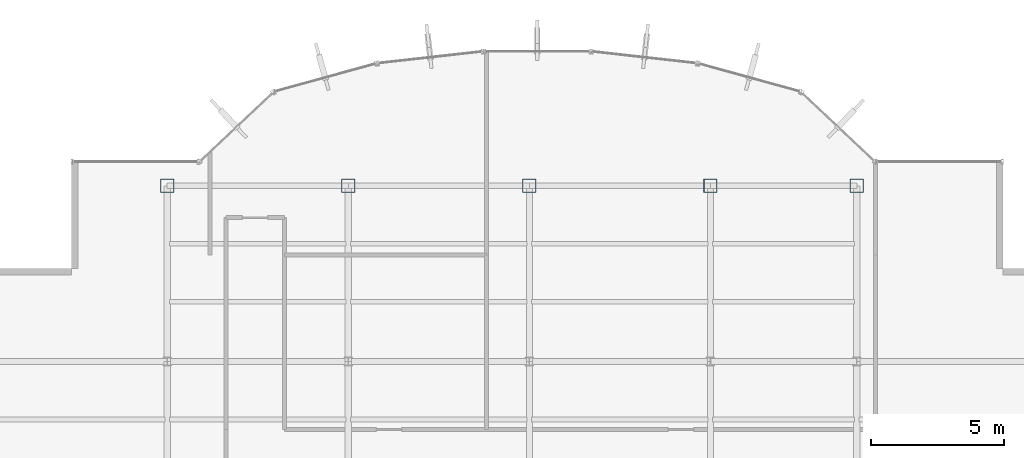
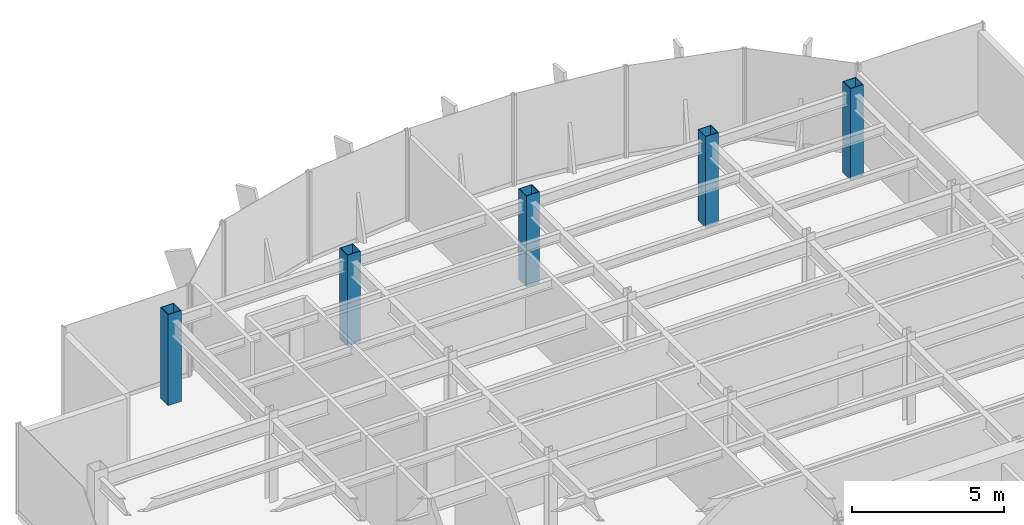
# One storey, part 2 of 22: 5 columns.
"""IFC4 building model written with IfcOpenShell, lengths in metres."""

import ifcopenshell
import ifcopenshell.guid

model = None  # the IFC model being written
_history = None  # IfcOwnerHistory: only IFC2X3 demands one
_inside = {}  # id of a spatial element -> (the spatial element, [elements in it])
_under = {}  # id of a project, library or spatial element -> (it, [spatial elements below it])
_declared = {}  # id of a project -> (the project, [libraries it declares])
_typed = {}  # id of a type object -> (the type object, [elements of that type])
_made_of = {}  # id of a material, layer set ... -> (it, [elements and type objects made of it])


def new_model(schema):
    """Start an empty IFC model of exactly this schema.

    Asked for "IFC4X3", IfcOpenShell would pick the latest addendum, in which some entities
    have other attributes; the version numbers below select the first issue.
    IFC2X3 requires an IfcOwnerHistory on every rooted entity: one is made here for all.
    """
    global model, _history
    if schema == "IFC4X3":
        model = ifcopenshell.file(schema_version=(4, 3, 0, 0))
    else:
        model = ifcopenshell.file(schema=schema)
    _inside.clear()
    _under.clear()
    _declared.clear()
    _typed.clear()
    _made_of.clear()
    _history = None
    if model.schema == "IFC2X3":
        org = make("IfcOrganization", Name="unknown")
        user = make(
            "IfcPersonAndOrganization",
            ThePerson=make("IfcPerson", FamilyName="unknown"),
            TheOrganization=org,
        )
        app = make(
            "IfcApplication",
            ApplicationDeveloper=org,
            Version="unknown",
            ApplicationFullName="unknown",
            ApplicationIdentifier="unknown",
        )
        _history = make(
            "IfcOwnerHistory",
            OwningUser=user,
            OwningApplication=app,
            ChangeAction="ADDED",
            CreationDate=0,
        )
    return model


def make(cls, **values):
    """One entity of the class cls with the attributes given. An attribute that is None is left unset."""
    return model.create_entity(
        cls, **{name: value for name, value in values.items() if value is not None}
    )


def rooted(cls, **values):
    """An entity with a GlobalId (a new one), such as an element, a storey or a relation."""
    return make(cls, GlobalId=ifcopenshell.guid.new(), OwnerHistory=_history, **values)


def si_unit(unit_type, name, prefix=None):
    """IfcSIUnit, for example si_unit("LENGTHUNIT", "METRE", prefix="MILLI")."""
    return make("IfcSIUnit", UnitType=unit_type, Prefix=prefix, Name=name)


def derived_unit(unit_type, elements):
    """IfcDerivedUnit: a product of units, each with its exponent."""
    return make(
        "IfcDerivedUnit",
        Elements=[
            make("IfcDerivedUnitElement", Unit=unit, Exponent=power)
            for unit, power in elements
        ],
        UnitType=unit_type,
    )


def assignment(units):
    """IfcUnitAssignment: the units of a project."""
    return None if units is None else make("IfcUnitAssignment", Units=units)


def point(xyz):
    """IfcCartesianPoint."""
    return None if xyz is None else make("IfcCartesianPoint", Coordinates=xyz)


def direction(xyz):
    """IfcDirection."""
    return None if xyz is None else make("IfcDirection", DirectionRatios=xyz)


def frame(location, z_axis=None, x_axis=None):
    """IfcAxis2Placement3D, a coordinate frame: its origin and axes. An axis left out is left unset."""
    return make(
        "IfcAxis2Placement3D",
        Location=point(location),
        Axis=direction(z_axis),
        RefDirection=direction(x_axis),
    )


def frame_2d(location, x_axis=None):
    """IfcAxis2Placement2D, a coordinate frame in the plane: its origin and x axis."""
    return make(
        "IfcAxis2Placement2D", Location=point(location), RefDirection=direction(x_axis)
    )


def origin():
    """The frame at (0, 0, 0) with its axes left unset."""
    return frame((0.0, 0.0, 0.0))


def origin_2d():
    """The frame at (0, 0) in the plane with its x axis left unset."""
    return frame_2d((0.0, 0.0))


def place(relative_to, where):
    """IfcLocalPlacement: puts the frame where relative to a parent placement (None: the world)."""
    return make(
        "IfcLocalPlacement", PlacementRelTo=relative_to, RelativePlacement=where
    )


def context(
    kind, dimensions, precision=None, world=None, true_north=None, identifier=None
):
    """IfcGeometricRepresentationContext, for example the 3D "Model" context."""
    return make(
        "IfcGeometricRepresentationContext",
        ContextIdentifier=identifier,
        ContextType=kind,
        CoordinateSpaceDimension=dimensions,
        Precision=precision,
        WorldCoordinateSystem=world,
        TrueNorth=true_north,
    )


def subcontext(parent, identifier, kind, view, scale=None):
    """IfcGeometricRepresentationSubContext, for example "Body" below "Model"."""
    return make(
        "IfcGeometricRepresentationSubContext",
        ContextIdentifier=identifier,
        ContextType=kind,
        ParentContext=parent,
        TargetScale=scale,
        TargetView=view,
    )


def project(units=None, contexts=None):
    """IfcProject with its units and contexts."""
    return rooted(
        "IfcProject",
        Name="project",
        RepresentationContexts=contexts,
        UnitsInContext=assignment(units),
    )


def spatial(cls, under=None, at=None, **own):
    """A site, building, storey or space (cls), placed at a placement, below another one or the project."""
    s = rooted(cls, ObjectPlacement=at, **own)
    if under is not None:
        _under.setdefault(under.id(), (under, []))[1].append(s)
    return s


def profile(cls, at=None, kind="AREA", **sizes):
    """A parametric profile (cls). Its sizes go by their IFC names, for example OverallWidth=200.0."""
    return make(cls, ProfileType=kind, Position=at, **sizes)


def hollow_rectangle(**sizes):
    """IfcRectangleHollowProfileDef."""
    return profile("IfcRectangleHollowProfileDef", **sizes)


def extrude(swept, where, along, depth):
    """IfcExtrudedAreaSolid: the profile swept, set in the frame where, extruded along a direction by depth."""
    return make(
        "IfcExtrudedAreaSolid",
        SweptArea=swept,
        Position=where,
        ExtrudedDirection=direction(along),
        Depth=depth,
    )


def shape(context_of_items, identifier, shape_type, items):
    """IfcShapeRepresentation: the items that make up one representation, for example the "Body"."""
    return make(
        "IfcShapeRepresentation",
        ContextOfItems=context_of_items,
        RepresentationIdentifier=identifier,
        RepresentationType=shape_type,
        Items=items,
    )


def source(mapping_origin, context_of_items, identifier, shape_type, items):
    """IfcRepresentationMap: a shape defined once, which mapped items show again and again."""
    return make(
        "IfcRepresentationMap",
        MappingOrigin=mapping_origin,
        MappedRepresentation=shape(context_of_items, identifier, shape_type, items),
    )


def transform(
    local_origin,
    x_axis=None,
    y_axis=None,
    z_axis=None,
    scale=None,
    scale2=None,
    scale3=None,
    uniform=True,
):
    """IfcCartesianTransformationOperator3D, or its non-uniform kind. x_axis, y_axis, z_axis: its Axis1, 2, 3."""
    if uniform:
        return make(
            "IfcCartesianTransformationOperator3D",
            Axis1=direction(x_axis),
            Axis2=direction(y_axis),
            LocalOrigin=point(local_origin),
            Scale=scale,
            Axis3=direction(z_axis),
        )
    return make(
        "IfcCartesianTransformationOperator3DnonUniform",
        Axis1=direction(x_axis),
        Axis2=direction(y_axis),
        LocalOrigin=point(local_origin),
        Scale=scale,
        Axis3=direction(z_axis),
        Scale2=scale2,
        Scale3=scale3,
    )


def mapped(mapping_source, mapping_target):
    """IfcMappedItem: shows the shape of a source again, moved by a transform."""
    return make(
        "IfcMappedItem", MappingSource=mapping_source, MappingTarget=mapping_target
    )


def material(Name=None, Category=None):
    """IfcMaterial."""
    return make("IfcMaterial", Name=Name, Category=Category)


def material_profile(
    of_material, cross_section, Name=None, Category=None, Priority=None
):
    """IfcMaterialProfile: a cross section and its material."""
    return make(
        "IfcMaterialProfile",
        Name=Name,
        Material=of_material,
        Profile=cross_section,
        Priority=Priority,
        Category=Category,
    )


def profile_set(profiles, Name=None, composite=None):
    """IfcMaterialProfileSet."""
    return make(
        "IfcMaterialProfileSet",
        Name=Name,
        MaterialProfiles=profiles,
        CompositeProfile=composite,
    )


def made_of(thing, what):
    """Note that an element or type object is made of a material, layer set ...; save() writes the relation."""
    if what is not None:
        _made_of.setdefault(what.id(), (what, []))[1].append(thing)
    return thing


def type_object(cls, material=None, **own):
    """A type object (cls), such as IfcWallType, which elements share."""
    return made_of(rooted(cls, **own), material)


def element(
    cls,
    number,
    at=None,
    inside=None,
    cuts=None,
    type_object=None,
    material=None,
    context=None,
    identifier="Body",
    shape_type=None,
    held_by="IfcProductDefinitionShape",
    body=None,
    shapes=None,
    **own,
):
    """One element of the class cls, such as IfcWall. Its Tag is "e" and its number.

    at: its placement. inside: the storey or other place that contains it. cuts: it is an
    opening in that element (IfcRelVoidsElement). A single representation is given by context,
    identifier, shape_type and body (its items); several are given by shapes. held_by: the class
    of the entity that holds the representations. save() writes the other relations.
    """
    e = rooted(cls, Tag="e%d" % number, ObjectPlacement=at, **own)
    if body is not None:
        shapes = [shape(context, identifier, shape_type, body)]
    if shapes is not None:
        e.Representation = make(held_by, Representations=shapes)
    if inside is not None:
        _inside.setdefault(inside.id(), (inside, []))[1].append(e)
    if cuts is not None:
        rooted(
            "IfcRelVoidsElement", RelatingBuildingElement=cuts, RelatedOpeningElement=e
        )
    if type_object is not None:
        _typed.setdefault(type_object.id(), (type_object, []))[1].append(e)
    return made_of(e, material)


def aggregate(whole, parts):
    """IfcRelAggregates: a whole, such as a stair, and the parts it consists of."""
    return rooted("IfcRelAggregates", RelatingObject=whole, RelatedObjects=parts)


def save(model, path):
    """Write the relations noted so far, then the file.

    IfcRelAggregates (storeys below a building ...), IfcRelContainedInSpatialStructure (elements
    in a storey), IfcRelDefinesByType, IfcRelAssociatesMaterial and IfcRelDeclares: one each for
    every whole, place, type object, material and project.
    """
    for whole, parts in _under.values():
        aggregate(whole, parts)
    for where, things in _inside.values():
        rooted(
            "IfcRelContainedInSpatialStructure",
            RelatedElements=things,
            RelatingStructure=where,
        )
    for kind, things in _typed.values():
        rooted("IfcRelDefinesByType", RelatedObjects=things, RelatingType=kind)
    for what, things in _made_of.values():
        rooted("IfcRelAssociatesMaterial", RelatedObjects=things, RelatingMaterial=what)
    for by, libraries in _declared.values():
        rooted("IfcRelDeclares", RelatingContext=by, RelatedDefinitions=libraries)
    model.write(path)


model = new_model("IFC4")

# Units and contexts
model_context = context("Model", 3, precision=1e-05, world=origin(), true_north=direction((0.0, 1.0)))
body_context = subcontext(model_context, "Body", "Model", "MODEL_VIEW")
ifc_project = project(units=[si_unit("LENGTHUNIT", "METRE"), si_unit("AREAUNIT", "SQUARE_METRE"), si_unit("VOLUMEUNIT", "CUBIC_METRE"), si_unit("PLANEANGLEUNIT", "RADIAN"), si_unit("MASSUNIT", "GRAM", prefix="KILO"), derived_unit("THERMALTRANSMITTANCEUNIT", [(si_unit("POWERUNIT", "WATT"), 1), (si_unit("LENGTHUNIT", "METRE"), -2), (si_unit("THERMODYNAMICTEMPERATUREUNIT", "KELVIN"), -1)])], contexts=[model_context])

# Site, building, storey
site_placement = place(None, origin())
site = spatial("IfcSite", under=ifc_project, at=site_placement, CompositionType="ELEMENT")
building_placement = place(site_placement, origin())
building = spatial("IfcBuilding", under=site, at=building_placement, Name="Skarnbrae Concourse Arena and Tower", CompositionType="ELEMENT")
storey_placement = place(building_placement, frame((0.0, 0.0, 232.39990234375)))
storey = spatial("IfcBuildingStorey", under=building, at=storey_placement, Name="L60", CompositionType="ELEMENT", Elevation=232.39990234375)

# Columns
ifc_material = material(Name="Steel CSA G40.21 350W", Category="steel")
ifc_material_profile = material_profile(ifc_material, hollow_rectangle(XDim=0.5, YDim=0.5, WallThickness=0.02197265625, at=origin_2d()), Name="HSS500X500X22.0")
ifc_profile_set = profile_set([ifc_material_profile], Name="Steel CSA G40.21 350W")
column_type = type_object("IfcColumnType", Name="COL-TUBE-HSS500", PredefinedType="COLUMN", material=ifc_profile_set)
shared_shape = source(origin(), body_context, "Body", "SweptSolid", [
    extrude(hollow_rectangle(XDim=0.5, YDim=0.5, WallThickness=0.02197265625, at=origin_2d()), origin(), (0.0, 0.0, 1.0), 3.650146484375),
])
for number, where, z_axis, x_axis, name in (
    (1, (7.60009765625, 34.39990234375, 0.0), (0.0, 0.0, 1.0), (1.0, 0.0, 0.0), "L60 Tower column PC_02_05"),
    (2, (14.39990234375, 34.39990234375, 0.0), (0.0, 0.0, 1.0), (1.0, 0.0, 0.0), "L60 Tower column PC_03_05"),
    (3, (21.199951171875, 34.39990234375, 0.0), (0.0, 0.0, 1.0), (1.0, 0.0, 0.0), "L60 Tower column PC_04_05"),
    (4, (28.0, 34.39990234375, 0.0), (0.0, 0.0, 1.0), (1.0, 0.0, 0.0), "L60 Tower column PC_05_05"),
    (5, (33.5, 34.39990234375, 0.0), (0.0, 0.0, 1.0), (1.0, 0.0, 0.0), "L60 Tower column PC_06_05"),
):
    element("IfcColumn", number, at=place(storey_placement, frame(where, z_axis=z_axis, x_axis=x_axis)), inside=storey, type_object=column_type, Name=name, PredefinedType="COLUMN", context=body_context, shape_type="MappedRepresentation", body=[
        mapped(shared_shape, transform((0.0, 0.0, 0.0))),
    ])

save(model, "model.ifc")
